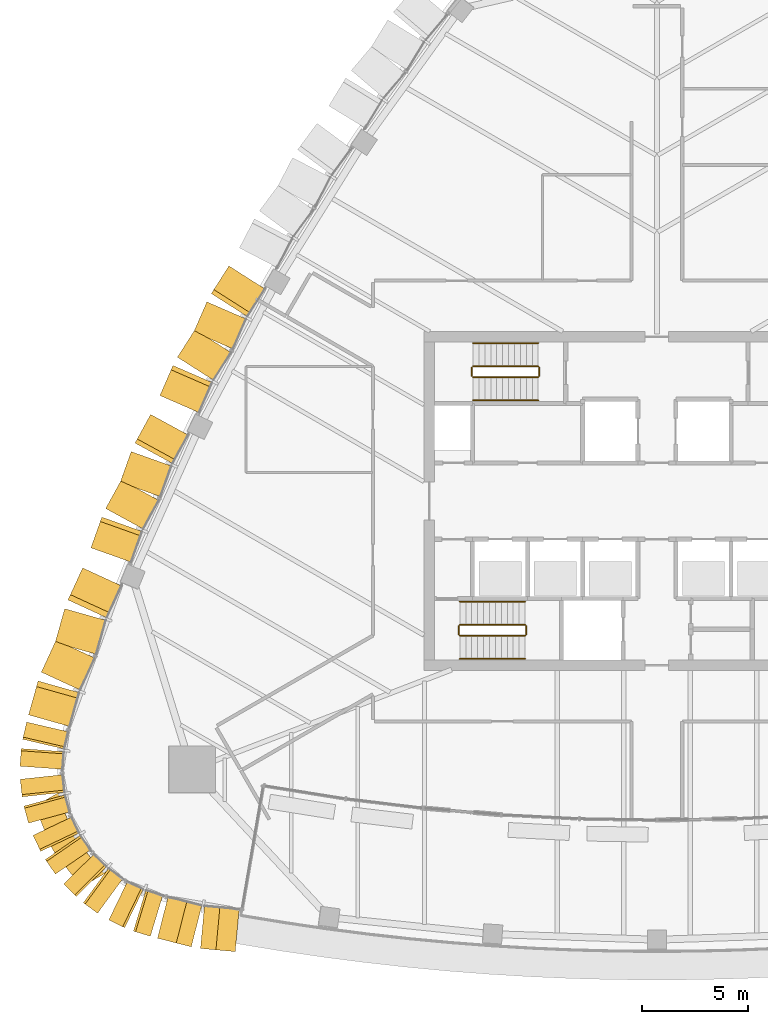
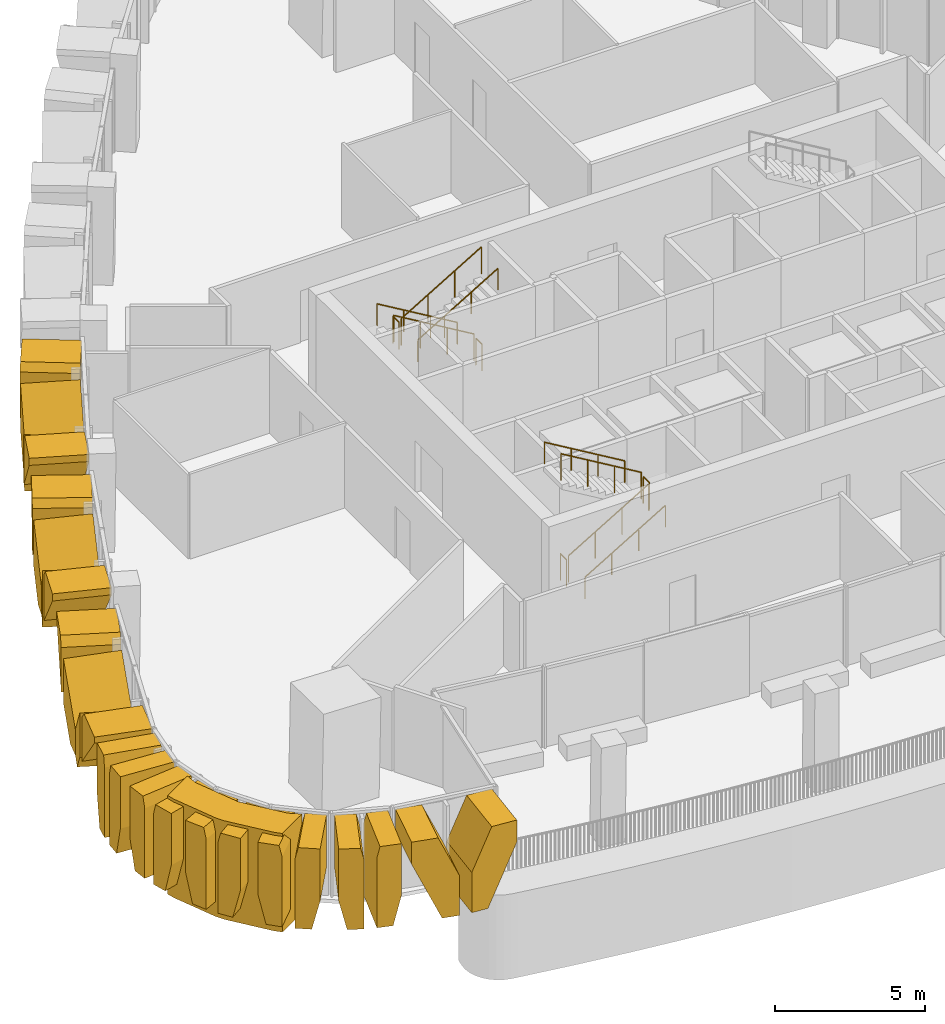
# One storey, part 17 of 22: 25 coverings, 12 railings.
"""IFC4 building model written with IfcOpenShell, lengths in metres."""

import ifcopenshell
import ifcopenshell.guid

model = None  # the IFC model being written
_history = None  # IfcOwnerHistory: only IFC2X3 demands one
_inside = {}  # id of a spatial element -> (the spatial element, [elements in it])
_under = {}  # id of a project, library or spatial element -> (it, [spatial elements below it])
_declared = {}  # id of a project -> (the project, [libraries it declares])
_typed = {}  # id of a type object -> (the type object, [elements of that type])
_made_of = {}  # id of a material, layer set ... -> (it, [elements and type objects made of it])


def new_model(schema):
    """Start an empty IFC model of exactly this schema.

    Asked for "IFC4X3", IfcOpenShell would pick the latest addendum, in which some entities
    have other attributes; the version numbers below select the first issue.
    IFC2X3 requires an IfcOwnerHistory on every rooted entity: one is made here for all.
    """
    global model, _history
    if schema == "IFC4X3":
        model = ifcopenshell.file(schema_version=(4, 3, 0, 0))
    else:
        model = ifcopenshell.file(schema=schema)
    _inside.clear()
    _under.clear()
    _declared.clear()
    _typed.clear()
    _made_of.clear()
    _history = None
    if model.schema == "IFC2X3":
        org = make("IfcOrganization", Name="unknown")
        user = make(
            "IfcPersonAndOrganization",
            ThePerson=make("IfcPerson", FamilyName="unknown"),
            TheOrganization=org,
        )
        app = make(
            "IfcApplication",
            ApplicationDeveloper=org,
            Version="unknown",
            ApplicationFullName="unknown",
            ApplicationIdentifier="unknown",
        )
        _history = make(
            "IfcOwnerHistory",
            OwningUser=user,
            OwningApplication=app,
            ChangeAction="ADDED",
            CreationDate=0,
        )
    return model


def make(cls, **values):
    """One entity of the class cls with the attributes given. An attribute that is None is left unset."""
    return model.create_entity(
        cls, **{name: value for name, value in values.items() if value is not None}
    )


def rooted(cls, **values):
    """An entity with a GlobalId (a new one), such as an element, a storey or a relation."""
    return make(cls, GlobalId=ifcopenshell.guid.new(), OwnerHistory=_history, **values)


def si_unit(unit_type, name, prefix=None):
    """IfcSIUnit, for example si_unit("LENGTHUNIT", "METRE", prefix="MILLI")."""
    return make("IfcSIUnit", UnitType=unit_type, Prefix=prefix, Name=name)


def assignment(units):
    """IfcUnitAssignment: the units of a project."""
    return None if units is None else make("IfcUnitAssignment", Units=units)


def point(xyz):
    """IfcCartesianPoint."""
    return None if xyz is None else make("IfcCartesianPoint", Coordinates=xyz)


def direction(xyz):
    """IfcDirection."""
    return None if xyz is None else make("IfcDirection", DirectionRatios=xyz)


def frame(location, z_axis=None, x_axis=None):
    """IfcAxis2Placement3D, a coordinate frame: its origin and axes. An axis left out is left unset."""
    return make(
        "IfcAxis2Placement3D",
        Location=point(location),
        Axis=direction(z_axis),
        RefDirection=direction(x_axis),
    )


def frame_2d(location, x_axis=None):
    """IfcAxis2Placement2D, a coordinate frame in the plane: its origin and x axis."""
    return make(
        "IfcAxis2Placement2D", Location=point(location), RefDirection=direction(x_axis)
    )


def origin():
    """The frame at (0, 0, 0) with its axes left unset."""
    return frame((0.0, 0.0, 0.0))


def origin_2d():
    """The frame at (0, 0) in the plane with its x axis left unset."""
    return frame_2d((0.0, 0.0))


def place(relative_to, where):
    """IfcLocalPlacement: puts the frame where relative to a parent placement (None: the world)."""
    return make(
        "IfcLocalPlacement", PlacementRelTo=relative_to, RelativePlacement=where
    )


def context(
    kind, dimensions, precision=None, world=None, true_north=None, identifier=None
):
    """IfcGeometricRepresentationContext, for example the 3D "Model" context."""
    return make(
        "IfcGeometricRepresentationContext",
        ContextIdentifier=identifier,
        ContextType=kind,
        CoordinateSpaceDimension=dimensions,
        Precision=precision,
        WorldCoordinateSystem=world,
        TrueNorth=true_north,
    )


def subcontext(parent, identifier, kind, view, scale=None):
    """IfcGeometricRepresentationSubContext, for example "Body" below "Model"."""
    return make(
        "IfcGeometricRepresentationSubContext",
        ContextIdentifier=identifier,
        ContextType=kind,
        ParentContext=parent,
        TargetScale=scale,
        TargetView=view,
    )


def project(units=None, contexts=None):
    """IfcProject with its units and contexts."""
    return rooted(
        "IfcProject",
        Name="project",
        RepresentationContexts=contexts,
        UnitsInContext=assignment(units),
    )


def spatial(cls, under=None, at=None, **own):
    """A site, building, storey or space (cls), placed at a placement, below another one or the project."""
    s = rooted(cls, ObjectPlacement=at, **own)
    if under is not None:
        _under.setdefault(under.id(), (under, []))[1].append(s)
    return s


def polyline(points):
    """IfcPolyline through the points."""
    return make("IfcPolyline", Points=[point(p) for p in points])


def profile(cls, at=None, kind="AREA", **sizes):
    """A parametric profile (cls). Its sizes go by their IFC names, for example OverallWidth=200.0."""
    return make(cls, ProfileType=kind, Position=at, **sizes)


def circle(**sizes):
    """IfcCircleProfileDef."""
    return profile("IfcCircleProfileDef", **sizes)


def outline(outer, holes=None, kind="AREA"):
    """IfcArbitraryClosedProfileDef: a profile drawn as a closed curve; with holes, ...WithVoids."""
    if holes is None:
        return make("IfcArbitraryClosedProfileDef", ProfileType=kind, OuterCurve=outer)
    return make(
        "IfcArbitraryProfileDefWithVoids",
        ProfileType=kind,
        OuterCurve=outer,
        InnerCurves=holes,
    )


def extrude(swept, where, along, depth):
    """IfcExtrudedAreaSolid: the profile swept, set in the frame where, extruded along a direction by depth."""
    return make(
        "IfcExtrudedAreaSolid",
        SweptArea=swept,
        Position=where,
        ExtrudedDirection=direction(along),
        Depth=depth,
    )


def shape(context_of_items, identifier, shape_type, items):
    """IfcShapeRepresentation: the items that make up one representation, for example the "Body"."""
    return make(
        "IfcShapeRepresentation",
        ContextOfItems=context_of_items,
        RepresentationIdentifier=identifier,
        RepresentationType=shape_type,
        Items=items,
    )


def material(Name=None, Category=None):
    """IfcMaterial."""
    return make("IfcMaterial", Name=Name, Category=Category)


def layer(
    of_material, thickness, ventilated=None, Name=None, Category=None, Priority=None
):
    """IfcMaterialLayer: one layer of a wall or slab, of a material (None: an air gap)."""
    return make(
        "IfcMaterialLayer",
        Material=of_material,
        LayerThickness=thickness,
        IsVentilated=ventilated,
        Name=Name,
        Category=Category,
        Priority=Priority,
    )


def layer_set(layers, Name=None):
    """IfcMaterialLayerSet."""
    return make("IfcMaterialLayerSet", MaterialLayers=layers, LayerSetName=Name)


def made_of(thing, what):
    """Note that an element or type object is made of a material, layer set ...; save() writes the relation."""
    if what is not None:
        _made_of.setdefault(what.id(), (what, []))[1].append(thing)
    return thing


def type_object(cls, material=None, **own):
    """A type object (cls), such as IfcWallType, which elements share."""
    return made_of(rooted(cls, **own), material)


def element(
    cls,
    number,
    at=None,
    inside=None,
    cuts=None,
    type_object=None,
    material=None,
    context=None,
    identifier="Body",
    shape_type=None,
    held_by="IfcProductDefinitionShape",
    body=None,
    shapes=None,
    **own,
):
    """One element of the class cls, such as IfcWall. Its Tag is "e" and its number.

    at: its placement. inside: the storey or other place that contains it. cuts: it is an
    opening in that element (IfcRelVoidsElement). A single representation is given by context,
    identifier, shape_type and body (its items); several are given by shapes. held_by: the class
    of the entity that holds the representations. save() writes the other relations.
    """
    e = rooted(cls, Tag="e%d" % number, ObjectPlacement=at, **own)
    if body is not None:
        shapes = [shape(context, identifier, shape_type, body)]
    if shapes is not None:
        e.Representation = make(held_by, Representations=shapes)
    if inside is not None:
        _inside.setdefault(inside.id(), (inside, []))[1].append(e)
    if cuts is not None:
        rooted(
            "IfcRelVoidsElement", RelatingBuildingElement=cuts, RelatedOpeningElement=e
        )
    if type_object is not None:
        _typed.setdefault(type_object.id(), (type_object, []))[1].append(e)
    return made_of(e, material)


def aggregate(whole, parts):
    """IfcRelAggregates: a whole, such as a stair, and the parts it consists of."""
    return rooted("IfcRelAggregates", RelatingObject=whole, RelatedObjects=parts)


def save(model, path):
    """Write the relations noted so far, then the file.

    IfcRelAggregates (storeys below a building ...), IfcRelContainedInSpatialStructure (elements
    in a storey), IfcRelDefinesByType, IfcRelAssociatesMaterial and IfcRelDeclares: one each for
    every whole, place, type object, material and project.
    """
    for whole, parts in _under.values():
        aggregate(whole, parts)
    for where, things in _inside.values():
        rooted(
            "IfcRelContainedInSpatialStructure",
            RelatedElements=things,
            RelatingStructure=where,
        )
    for kind, things in _typed.values():
        rooted("IfcRelDefinesByType", RelatedObjects=things, RelatingType=kind)
    for what, things in _made_of.values():
        rooted("IfcRelAssociatesMaterial", RelatedObjects=things, RelatingMaterial=what)
    for by, libraries in _declared.values():
        rooted("IfcRelDeclares", RelatingContext=by, RelatedDefinitions=libraries)
    model.write(path)


model = new_model("IFC4")

# Units and contexts
model_context = context("Model", 3, precision=1e-05, world=origin(), true_north=direction((0.0, 1.0)))
body_context = subcontext(model_context, "Body", "Model", "MODEL_VIEW")
ifc_project = project(units=[si_unit("LENGTHUNIT", "METRE"), si_unit("AREAUNIT", "SQUARE_METRE"), si_unit("VOLUMEUNIT", "CUBIC_METRE"), si_unit("PLANEANGLEUNIT", "RADIAN"), si_unit("MASSUNIT", "GRAM", prefix="KILO")], contexts=[model_context])

# Site, building, storey
site_placement = place(None, origin())
site = spatial("IfcSite", under=ifc_project, at=site_placement, CompositionType="ELEMENT")
building_placement = place(site_placement, origin())
building = spatial("IfcBuilding", under=site, at=building_placement, Name="Sierra Prisma Convention Tower", CompositionType="ELEMENT")
storey_placement = place(building_placement, frame((0.0, 0.0, 243.0)))
storey = spatial("IfcBuildingStorey", under=building, at=storey_placement, Name="L54", CompositionType="ELEMENT", Elevation=243.0)

# Coverings
ifc_material_1 = material(Name="Aluminium composite bronze anodised", Category="aluminium")
ifc_layer_1 = layer(ifc_material_1, 1.199951171875)
ifc_layer_set_1 = layer_set([ifc_layer_1], Name="Bronze corner pier")
covering_type_1 = type_object("IfcCoveringType", Name="Bronze corner pier", PredefinedType="CLADDING", material=ifc_layer_set_1)
covering_1_placement = place(storey_placement, frame((0.0, 0.0, -0.60009765625)))
element("IfcCovering", 1, at=covering_1_placement, inside=storey, type_object=covering_type_1, Name="Corner pier SW L54.1", PredefinedType="CLADDING", context=body_context, shape_type="SweptSolid", body=[
    extrude(outline(polyline([(-28.42041015625, -16.6025390625), (-28.58837890625, -16.3115234375), (-29.255126953125, -14.657958984375), (-29.32177734375, -14.388671875), (-28.19091796875, -13.735595703125), (-28.14208984375, -14.209228515625), (-27.4755859375, -15.863037109375), (-26.376708984375, -17.26708984375), (-25.99072265625, -17.546142578125), (-27.121826171875, -18.19921875), (-27.32177734375, -18.006591796875), (-28.42041015625, -16.6025390625)])), origin(), (0.0, 0.0, 1.0), 4.0),
])
ifc_material_2 = material(Name="Aluminium 6063-T6 bronze anodised", Category="aluminium")
ifc_layer_2 = layer(ifc_material_2, 2.0)
ifc_layer_set_2 = layer_set([ifc_layer_2], Name="Bronze crystal chevron frame")
covering_type_2 = type_object("IfcCoveringType", Name="Bronze crystal chevron frame", PredefinedType="CLADDING", material=ifc_layer_set_2)
covering_2_placement = place(storey_placement, frame((-20.197509765625, 11.09423828125, 3.280029296875), z_axis=(-0.843028179962, 0.537869396082, -2.341204e-05), x_axis=(1.973701e-05, -1.259262e-05, -0.999999999726)))
element("IfcCovering", 2, at=covering_2_placement, inside=storey, type_object=covering_type_2, Name="CW-2 chevron frame NW4.1.1", PredefinedType="CLADDING", context=body_context, shape_type="SweptSolid", body=[
    extrude(outline(polyline([(0.0, 0.0), (0.2875976561711805, 0.0), (2.1379394526852034, 1.5464578894494956), (0.26660156257306533, 1.5464578894494956), (-1.1833636070320756e-09, 1.32350242746283), (0.0, 0.0)])), origin(), (0.0, 0.0, -1.0), 2.0),
])
covering_3_placement = place(storey_placement, frame((-21.23779296875, 9.399169921875, 2.85791015625), z_axis=(-0.916749133579, 0.399463422079, 2.2439832e-05), x_axis=(-2.0571697e-05, 8.963892e-06, -0.999999999748)))
element("IfcCovering", 3, at=covering_3_placement, inside=storey, type_object=covering_type_2, Name="CW-2 chevron frame NW4.1.2", PredefinedType="CLADDING", context=body_context, shape_type="SweptSolid", body=[
    extrude(outline(polyline([(0.0, 0.0), (1.8713378901538475, 0.0), (2.8579101574769017, 0.8242711732570415), (2.8579101560272395, 1.5462128732941023), (1.8503417969059184, 1.5462128732941023), (0.0, 0.0)])), origin(), (0.0, 0.0, -1.0), 2.0),
])
covering_4_placement = place(storey_placement, frame((-21.797119140625, 8.09130859375, 0.0), z_axis=(-0.842959573089, 0.537976912266, -2.354265e-06), x_axis=(-0.537976912268, -0.842959573092, -2.2e-11)))
element("IfcCovering", 4, at=covering_4_placement, inside=storey, type_object=covering_type_2, Name="CW-2 chevron frame NW4.2.1", PredefinedType="CLADDING", context=body_context, shape_type="SweptSolid", body=[
    extrude(outline(polyline([(0.0, 0.0), (0.7220262409998718, -2.117582368135751e-22), (1.5465892180733887, 0.986572265661913), (1.5465892180320329, 2.857910156281727), (-2.2266903354894646e-11, 1.0075683593722078), (0.0, 0.0)])), origin(), (0.0, 0.0, -1.0), 2.0),
])
covering_5_placement = place(storey_placement, frame((-23.455322265625, 4.978515625, 3.280029296875), z_axis=(-0.916714836052, 0.399542120321, -5.8752146e-05), x_axis=(0.39954212101, 0.916714837634, 5.629e-09)))
element("IfcCovering", 5, at=covering_5_placement, inside=storey, type_object=covering_type_2, Name="CW-2 chevron frame NW4.2.2", PredefinedType="CLADDING", context=body_context, shape_type="SweptSolid", body=[
    extrude(outline(polyline([(0.0, 0.0), (1.3238275615204171, 0.0), (1.5465342197928016, 0.2666015716660614), (1.5465342092584469, 2.1379394590613052), (-1.6189784569932416e-09, 0.28759765575363305), (0.0, 0.0)])), origin(), (0.0, 0.0, -1.0), 2.0),
])
covering_6_placement = place(storey_placement, frame((-23.892578125, 4.086181640625, 3.280029296875), z_axis=(-0.877687399931, 0.479233583408, -2.3150036e-05), x_axis=(2.0318495e-05, -1.1094275e-05, -0.999999999732)))
element("IfcCovering", 6, at=covering_6_placement, inside=storey, type_object=covering_type_2, Name="CW-2 chevron frame NW5.1.1", PredefinedType="CLADDING", context=body_context, shape_type="SweptSolid", body=[
    extrude(outline(polyline([(0.0, 0.0), (0.29052734367214966, 0.0), (2.140136718317833, 1.5385191485840588), (0.26367187507065404, 1.5385191485840588), (-1.1613434509189885e-09, 1.3193570118038396), (0.0, 0.0)])), origin(), (0.0, 0.0, -1.0), 2.0),
])
covering_7_placement = place(storey_placement, frame((-24.81103515625, 2.3310546875, 2.860107421875), z_axis=(-0.941883820663, 0.335938783952, 4.2533033e-05), x_axis=(-4.0061175e-05, 1.4288495e-05, -0.999999999095)))
element("IfcCovering", 7, at=covering_7_placement, inside=storey, type_object=covering_type_2, Name="CW-2 chevron frame NW5.1.2", PredefinedType="CLADDING", context=body_context, shape_type="SweptSolid", body=[
    extrude(outline(polyline([(0.0, 0.0), (1.8764648420526824, -3.1788550940412854e-21), (2.8601074262901016, 0.817849249988669), (2.860107421067416, 1.5383942595127718), (1.849609375106441, 1.5383942595127718), (0.0, 0.0)])), origin(), (0.0, 0.0, -1.0), 2.0),
])
covering_8_placement = place(storey_placement, frame((-25.622314453125, 0.36328125, 0.0), z_axis=(-0.877692726768, 0.479223827927, -1.1179592e-05), x_axis=(-0.306444320515, -0.561231183238, 0.768837718499)))
element("IfcCovering", 8, at=covering_8_placement, inside=storey, type_object=covering_type_2, Name="CW-2 chevron frame NW5.2.1", PredefinedType="CLADDING", context=body_context, shape_type="SweptSolid", body=[
    extrude(outline(polyline([(0.0, 0.0), (1.279389076288799, 0.0), (2.7220860256002495, 1.1998940877581923), (0.316239815203195, 1.2000441189979196), (-0.46066919770340065, 0.5538872585723199), (0.0, 0.0)])), origin(), (0.0, 0.0, -1.0), 2.0),
])
covering_9_placement = place(storey_placement, frame((-26.71240234375, -2.20849609375, 3.280029296875), z_axis=(-0.941877951185, 0.335955237869, -5.6746209e-05), x_axis=(0.33595523841, 0.941877952701, 5.289e-09)))
element("IfcCovering", 9, at=covering_9_placement, inside=storey, type_object=covering_type_2, Name="CW-2 chevron frame NW5.2.2", PredefinedType="CLADDING", context=body_context, shape_type="SweptSolid", body=[
    extrude(outline(polyline([(0.0, 0.0), (1.3193158049228526, 0.0), (1.5383942586143131, 0.26367188356125987), (1.5383942486894913, 2.1401367242900275), (-1.5366299832433477e-09, 0.2905273432822318), (0.0, 0.0)])), origin(), (0.0, 0.0, -1.0), 2.0),
])
covering_10_placement = place(storey_placement, frame((-27.10107421875, -3.15771484375, 3.280029296875), z_axis=(-0.908388092158, 0.418128056738, 4.6831703e-05), x_axis=(-4.2541362e-05, 1.9581649e-05, -0.999999998903)))
element("IfcCovering", 10, at=covering_10_placement, inside=storey, type_object=covering_type_2, Name="CW-2 chevron frame NW6.1.1", PredefinedType="CLADDING", context=body_context, shape_type="SweptSolid", body=[
    extrude(outline(polyline([(0.0, 0.0), (0.2475585934785262, 0.0), (2.107666013986787, 1.662302474365171), (0.3068847659615312, 1.662302474365171), (-4.4924362269936114e-09, 1.3881139875731632), (0.0, 0.0)])), origin(), (0.0, 0.0, -1.0), 2.0),
])
covering_11_placement = place(storey_placement, frame((-27.949462890625, -5.083984375, 2.82763671875), z_axis=(-0.962625323764, 0.270836640855, 4.220841e-06), x_axis=(-4.063089e-06, 1.143159e-06, -0.999999999991)))
element("IfcCovering", 11, at=covering_11_placement, inside=storey, type_object=covering_type_2, Name="CW-2 chevron frame NW6.1.2", PredefinedType="CLADDING", context=body_context, shape_type="SweptSolid", body=[
    extrude(outline(polyline([(0.0, 0.0), (1.800781249983959, 0.0), (2.8276367187924247, 0.9176001273934471), (2.827636718743106, 1.6622239105833274), (1.8601074218767246, 1.6622239105833274), (0.0, 0.0)])), origin(), (0.0, 0.0, -1.0), 2.0),
])
covering_12_placement = place(storey_placement, frame((-28.356689453125, -6.5673828125, 0.0), z_axis=(-0.908327965376, 0.418258660769, 2.798732e-06), x_axis=(-0.418258660771, -0.908327965379, -2.9e-11)))
element("IfcCovering", 12, at=covering_12_placement, inside=storey, type_object=covering_type_2, Name="CW-2 chevron frame NW6.2.1", PredefinedType="CLADDING", context=body_context, shape_type="SweptSolid", body=[
    extrude(outline(polyline([(0.0, 0.0), (0.7447936628930081, 0.0), (1.6624045731504289, 1.0268554688024207), (1.662404573098001, 2.8276367187953677), (-2.8168630256803422e-11, 0.9675292968712106), (0.0, 0.0)])), origin(), (0.0, 0.0, -1.0), 2.0),
])
covering_13_placement = place(storey_placement, frame((-29.655517578125, -10.09375, 3.280029296875), z_axis=(-0.962589836091, 0.270962732673, -7.0403855e-05), x_axis=(0.270962733345, 0.962589838477, 7.314e-09)))
element("IfcCovering", 13, at=covering_13_placement, inside=storey, type_object=covering_type_2, Name="CW-2 chevron frame NW6.2.2", PredefinedType="CLADDING", context=body_context, shape_type="SweptSolid", body=[
    extrude(outline(polyline([(0.0, 0.0), (1.3880705066731356, 0.0), (1.6622900476567823, 0.3068847785443531), (1.6622900344850067, 2.1076660240813845), (-1.8107619960396597e-09, 0.24755859313646286), (0.0, 0.0)])), origin(), (0.0, 0.0, -1.0), 2.0),
])
covering_14_placement = place(storey_placement, frame((-29.74267578125, -10.43310546875, 3.280029296875), z_axis=(-0.973937242522, 0.226817652466, -1.2553179e-05), x_axis=(1.2226008e-05, -2.847283e-06, -0.999999999921)))
element("IfcCovering", 14, at=covering_14_placement, inside=storey, type_object=covering_type_2, Name="CW-2 chevron frame SW1.1.1", PredefinedType="CLADDING", context=body_context, shape_type="SweptSolid", body=[
    extrude(outline(polyline([(0.0, 0.0), (2.1027832029593196, 0.0), (3.2800292973064944, 0.28224598635680115), (3.2800292967630096, 0.8342399472766335), (0.4362792969870721, 0.8342399472766335), (-1.9388807726578857e-10, 0.7297152542945056), (0.0, 0.0)])), origin(), (0.0, 0.0, -1.0), 2.0),
])
covering_15_placement = place(storey_placement, frame((-29.998291015625, -11.68408203125, 0.0), z_axis=(-0.997428137834, 0.071673632753, -1.4983846e-05), x_axis=(-0.071673632761, -0.997428137946, -2.7e-10)))
element("IfcCovering", 15, at=covering_15_placement, inside=storey, type_object=covering_type_2, Name="CW-2 chevron frame SW1.1.2", PredefinedType="CLADDING", context=body_context, shape_type="SweptSolid", body=[
    extrude(outline(polyline([(0.0, 0.0), (0.5519559520449177, -1.0587911840678754e-22), (0.834422011959201, 1.1772460939689673), (0.8344220113922154, 3.2800292968579137), (0.10452238620509403, 3.280029297689605), (-7.667768256447883e-10, 2.8437499996807665), (0.0, 0.0)])), origin(), (0.0, 0.0, -1.0), 2.0),
])
covering_16_placement = place(storey_placement, frame((-30.046875, -13.1328125, 3.280029296875), z_axis=(-0.994157760211, -0.107936771548, -3.4059598e-05), x_axis=(3.3860613e-05, 3.676283e-06, -0.99999999942)))
element("IfcCovering", 16, at=covering_16_placement, inside=storey, type_object=covering_type_2, Name="CW-2 chevron frame SW2.1.1", PredefinedType="CLADDING", context=body_context, shape_type="SweptSolid", body=[
    extrude(outline(polyline([(0.0, 0.0), (2.1027832019053267, 8.905633269899034e-22), (3.280029296156867, 0.2824154104875741), (3.2800292955966714, 0.834466977509934), (0.43627929724612613, 0.834466977509934), (-5.565337040652859e-09, 0.7298321546678369), (0.0, 0.0)])), origin(), (0.0, 0.0, -1.0), 2.0),
])
covering_17_placement = place(storey_placement, frame((-29.87451171875, -14.398193359375, 0.0), z_axis=(-0.965095589651, -0.261897886264, 2.515162e-06), x_axis=(0.261897886265, -0.965095589654, -1.39e-10)))
element("IfcCovering", 17, at=covering_17_placement, inside=storey, type_object=covering_type_2, Name="CW-2 chevron frame SW2.1.2", PredefinedType="CLADDING", context=body_context, shape_type="SweptSolid", body=[
    extrude(outline(polyline([(0.0, 0.0), (0.5519731751206722, -5.293955920339377e-23), (0.8342978179243727, 1.1772460938750142), (0.8342978176329011, 3.280029296993363), (0.1044719335758288, 3.280029296834206), (-3.941787559283746e-10, 2.843749999991005), (0.0, 0.0)])), origin(), (0.0, 0.0, -1.0), 2.0),
])
covering_18_placement = place(storey_placement, frame((-29.44140625, -15.781494140625, 3.280029296875), z_axis=(-0.902638653313, -0.430399188428, 1.2059635e-05), x_axis=(-1.0885492e-05, -5.190457e-06, -0.999999999927)))
element("IfcCovering", 18, at=covering_18_placement, inside=storey, type_object=covering_type_2, Name="CW-2 chevron frame SW3.1.1", PredefinedType="CLADDING", context=body_context, shape_type="SweptSolid", body=[
    extrude(outline(polyline([(0.0, 0.0), (2.102783202972091, 0.0), (3.28002929611448, 0.2823958862256461), (3.2800292966365947, 0.8344134404046312), (0.4362792968433847, 0.8344134404046312), (-1.4101070285721436e-09, 0.7297956158113391), (0.0, 0.0)])), origin(), (0.0, 0.0, -1.0), 2.0),
])
covering_19_placement = place(storey_placement, frame((-28.5478515625, -17.37353515625, 0.0), z_axis=(-0.824040036259, -0.566531568957, 4.117876e-06), x_axis=(0.132120118313, -0.192166277596, 0.972428093019)))
element("IfcCovering", 19, at=covering_19_placement, inside=storey, type_object=covering_type_2, Name="CW-2 chevron frame SW3.1.2", PredefinedType="CLADDING", context=body_context, shape_type="SweptSolid", body=[
    extrude(outline(polyline([(0.0, 0.0), (1.2106253429150031, 0.0), (3.2554308031613988, 0.49037519208885544), (3.0852684735658857, 1.1999316029024465), (2.6366188429590145, 1.1999324931120654), (-0.12872354656264084, 0.5367616771999572), (0.0, 0.0)])), origin(), (0.0, 0.0, -1.0), 2.0),
])
covering_20_placement = place(storey_placement, frame((-27.994384765625, -18.0810546875, 3.280029296875), z_axis=(-0.70958410199, -0.704620750611, 3.217e-06), x_axis=(-2.282732e-06, -2.266765e-06, -0.999999999995)))
element("IfcCovering", 20, at=covering_20_placement, inside=storey, type_object=covering_type_2, Name="CW-2 chevron frame SW4.1.1", PredefinedType="CLADDING", context=body_context, shape_type="SweptSolid", body=[
    extrude(outline(polyline([(0.0, 0.0), (2.102783203114119, 0.0), (3.280029297001436, 0.28243028796102776), (3.280029296879078, 0.8343428258829539), (0.4362792968937933, 0.8343428258829539), (9.149384838794746e-11, 0.7297263625792596), (0.0, 0.0)])), origin(), (0.0, 0.0, -1.0), 2.0),
])
covering_21_placement = place(storey_placement, frame((-26.624755859375, -19.288330078125, 0.0), z_axis=(-0.590527421114, -0.807017573658, 2.6810814e-05), x_axis=(0.188106331413, -0.13761270877, 0.972460153666)))
element("IfcCovering", 21, at=covering_21_placement, inside=storey, type_object=covering_type_2, Name="CW-2 chevron frame SW4.1.2", PredefinedType="CLADDING", context=body_context, shape_type="SweptSolid", body=[
    extrude(outline(polyline([(0.0, 0.0), (1.210585433487549, -5.551115123125783e-17), (3.2554583103240162, 0.4900939846037529), (3.0853902189307756, 1.199687733347376), (2.6367361416387496, 1.199768891315921), (-0.12869742034791806, 0.5369783731846642), (0.0, 0.0)])), origin(), (0.0, 0.0, -1.0), 2.0),
])
covering_22_placement = place(storey_placement, frame((-25.868408203125, -19.77294921875, 3.280029296875), z_axis=(-0.436634303946, -0.899639085661, 1.2963048e-05), x_axis=(-5.660111e-06, -1.1662064e-05, -0.999999999916)))
element("IfcCovering", 22, at=covering_22_placement, inside=storey, type_object=covering_type_2, Name="CW-2 chevron frame SW5.1.1", PredefinedType="CLADDING", context=body_context, shape_type="SweptSolid", body=[
    extrude(outline(polyline([(0.0, 0.0), (2.1027832029483235, -1.781126653979807e-21), (3.2800292972895355, 0.2822570734076294), (3.2800292967502633, 0.8342160476312133), (0.4362792969891957, 0.8342160476312133), (-2.5519899589149833e-10, 0.7297210127548767), (0.0, 0.0)])), origin(), (0.0, 0.0, -1.0), 2.0),
])
covering_23_placement = place(storey_placement, frame((-24.705078125, -20.299072265625, 0.0), z_axis=(-0.290504200822, -0.956873715961, 3.1740108e-05), x_axis=(0.956873716443, -0.290504200968, -2.1e-10)))
element("IfcCovering", 23, at=covering_23_placement, inside=storey, type_object=covering_type_2, Name="CW-2 chevron frame SW5.1.2", PredefinedType="CLADDING", context=body_context, shape_type="SweptSolid", body=[
    extrude(outline(polyline([(0.0, 0.0), (0.5521328082078123, 8.470329472543003e-22), (0.8345714348232451, 1.1772460938251594), (0.8345714343823112, 3.280029295890951), (0.10480898817407716, 3.280029301016927), (-5.963076583018827e-10, 2.843749998567554), (0.0, 0.0)])), origin(), (0.0, 0.0, -1.0), 2.0),
])
covering_24_placement = place(storey_placement, frame((-23.569091796875, -20.635498046875, 3.280029296875), z_axis=(-0.246693470617, -0.969093561482, 2.5476622e-05), x_axis=(-6.284916e-06, -2.4689231e-05, -0.999999999675)))
element("IfcCovering", 24, at=covering_24_placement, inside=storey, type_object=covering_type_2, Name="CW-2 chevron frame S1.1.1", PredefinedType="CLADDING", context=body_context, shape_type="SweptSolid", body=[
    extrude(outline(polyline([(0.0, 0.0), (0.8986816403333516, -7.612129587019237e-22), (3.280029298376539, 1.0535834525696677), (3.2800292971697216, 1.6445916307876238), (1.650146485198666, 1.6445916307876238), (-3.4114496347285503e-10, 0.9144908193958501), (0.0, 0.0)])), origin(), (0.0, 0.0, -1.0), 2.0),
])
covering_25_placement = place(storey_placement, frame((-21.538330078125, -21.11669921875, 0.0), z_axis=(-0.092048352717, -0.995754538155, 2.2506004e-05), x_axis=(0.995754538407, -0.09204835274, -1.159e-09)))
element("IfcCovering", 25, at=covering_25_placement, inside=storey, type_object=covering_type_2, Name="CW-2 chevron frame S1.1.2", PredefinedType="CLADDING", context=body_context, shape_type="SweptSolid", body=[
    extrude(outline(polyline([(0.0, 0.0), (0.5911354918847539, -2.117582368135751e-22), (1.644918741593288, 2.3813476585674858), (1.6449187405517702, 3.2800292989648856), (0.730144115431828, 3.2800292984701787), (-1.888935617689218e-09, 1.6298828120872157), (0.0, 0.0)])), origin(), (0.0, 0.0, -1.0), 2.0),
])

# Railings
ifc_material_3 = material(Name="Stainless steel", Category="steel")
railing_type_1 = type_object("IfcRailingType", Name="Exit stair handrail", PredefinedType="HANDRAIL", material=ifc_material_3)
railing_1_placement = place(storey_placement, frame((-9.300048828125, -7.449951171875, 0.166748046875)))
element("IfcRailing", 26, at=railing_1_placement, inside=storey, type_object=railing_type_1, Name="L54 S1 stair handrail 1", PredefinedType="HANDRAIL", context=body_context, shape_type="SweptSolid", body=[
    extrude(circle(Radius=0.02392578125, at=origin_2d()), frame((0.0, 0.0, 0.8759765625), z_axis=(0.859308565015, 0.0, 0.511457515432), x_axis=(0.0, 1.0, 0.0)), (0.0, 0.0, 1.0), 3.58447265625),
    extrude(circle(Radius=0.02099609375, at=origin_2d()), origin(), (0.0, 0.0, 1.0), 0.851806640625),
    extrude(circle(Radius=0.02099609375, at=origin_2d()), frame((1.026611328125, 0.0, 0.611083984375)), (0.0, 0.0, 1.0), 0.851806640625),
    extrude(circle(Radius=0.02099609375, at=origin_2d()), frame((2.053466796875, 0.0, 1.22216796875)), (0.0, 0.0, 1.0), 0.851806640625),
    extrude(circle(Radius=0.02099609375, at=origin_2d()), frame((3.080078125, 0.0, 1.833251953125)), (0.0, 0.0, 1.0), 0.851806640625),
])
railing_2_placement = place(storey_placement, frame((-6.219970703125, -4.75, 2.166748046875)))
element("IfcRailing", 27, at=railing_2_placement, inside=storey, type_object=railing_type_1, Name="L54 S1 stair handrail 2", PredefinedType="HANDRAIL", context=body_context, shape_type="SweptSolid", body=[
    extrude(circle(Radius=0.02392578125, at=origin_2d()), frame((0.0, 0.0, 0.8759765625), z_axis=(-0.859308565015, 0.0, 0.511457515432), x_axis=(0.0, -1.0, 0.0)), (0.0, 0.0, 1.0), 3.58447265625),
    extrude(circle(Radius=0.02099609375, at=origin_2d()), origin(), (0.0, 0.0, 1.0), 0.851806640625),
    extrude(circle(Radius=0.02099609375, at=origin_2d()), frame((-1.026611328125, 0.0, 0.611083984375)), (0.0, 0.0, 1.0), 0.851806640625),
    extrude(circle(Radius=0.02099609375, at=origin_2d()), frame((-2.053466796875, 0.0, 1.22216796875)), (0.0, 0.0, 1.0), 0.851806640625),
    extrude(circle(Radius=0.02099609375, at=origin_2d()), frame((-3.080078125, 0.0, 1.833251953125)), (0.0, 0.0, 1.0), 0.851806640625),
])
railing_3_placement = place(storey_placement, frame((-5.60009765625, 7.449951171875, 0.166748046875)))
element("IfcRailing", 28, at=railing_3_placement, inside=storey, type_object=railing_type_1, Name="L54 S3 stair handrail 1", PredefinedType="HANDRAIL", context=body_context, shape_type="SweptSolid", body=[
    extrude(circle(Radius=0.02392578125, at=origin_2d()), frame((0.0, 0.0, 0.8759765625), z_axis=(-0.859290745958, 0.0, 0.51148745235), x_axis=(0.0, -1.0, 0.0)), (0.0, 0.0, 1.0), 3.584228515625),
    extrude(circle(Radius=0.02099609375, at=origin_2d()), origin(), (0.0, 0.0, 1.0), 0.851806640625),
    extrude(circle(Radius=0.02099609375, at=origin_2d()), frame((-1.026611328125, 0.0, 0.611083984375)), (0.0, 0.0, 1.0), 0.851806640625),
    extrude(circle(Radius=0.02099609375, at=origin_2d()), frame((-2.05322265625, 0.0, 1.22216796875)), (0.0, 0.0, 1.0), 0.851806640625),
    extrude(circle(Radius=0.02099609375, at=origin_2d()), frame((-3.079833984375, 0.0, 1.833251953125)), (0.0, 0.0, 1.0), 0.851806640625),
])
railing_4_placement = place(storey_placement, frame((-8.679931640625, 4.75, 2.166748046875)))
element("IfcRailing", 29, at=railing_4_placement, inside=storey, type_object=railing_type_1, Name="L54 S3 stair handrail 2", PredefinedType="HANDRAIL", context=body_context, shape_type="SweptSolid", body=[
    extrude(circle(Radius=0.02392578125, at=origin_2d()), frame((0.0, 0.0, 0.8759765625), z_axis=(0.859290745958, 0.0, 0.51148745235), x_axis=(0.0, 1.0, 0.0)), (0.0, 0.0, 1.0), 3.584228515625),
    extrude(circle(Radius=0.02099609375, at=origin_2d()), origin(), (0.0, 0.0, 1.0), 0.851806640625),
    extrude(circle(Radius=0.02099609375, at=origin_2d()), frame((1.026611328125, 0.0, 0.611083984375)), (0.0, 0.0, 1.0), 0.851806640625),
    extrude(circle(Radius=0.02099609375, at=origin_2d()), frame((2.05322265625, 0.0, 1.22216796875)), (0.0, 0.0, 1.0), 0.851806640625),
    extrude(circle(Radius=0.02099609375, at=origin_2d()), frame((3.079833984375, 0.0, 1.833251953125)), (0.0, 0.0, 1.0), 0.851806640625),
])
ifc_material_4 = material(Name="Stainless steel", Category="steel")
railing_type_2 = type_object("IfcRailingType", Name="Stair guard 1100", PredefinedType="GUARDRAIL", material=ifc_material_4)
railing_5_placement = place(storey_placement, frame((-9.300048828125, -6.35009765625, 0.166748046875)))
element("IfcRailing", 30, at=railing_5_placement, inside=storey, type_object=railing_type_2, Name="L54 S1 stair guard 1", PredefinedType="GUARDRAIL", context=body_context, shape_type="SweptSolid", body=[
    extrude(circle(Radius=0.02392578125, at=origin_2d()), frame((0.0, 0.0, 1.076171875), z_axis=(0.859308565015, 0.0, 0.511457515432), x_axis=(0.0, 1.0, 0.0)), (0.0, 0.0, 1.0), 3.58447265625),
    extrude(circle(Radius=0.02099609375, at=origin_2d()), origin(), (0.0, 0.0, 1.0), 1.052001953125),
    extrude(circle(Radius=0.02099609375, at=origin_2d()), frame((1.026611328125, 0.0, 0.611083984375)), (0.0, 0.0, 1.0), 1.052001953125),
    extrude(circle(Radius=0.02099609375, at=origin_2d()), frame((2.053466796875, 0.0, 1.22216796875)), (0.0, 0.0, 1.0), 1.052001953125),
    extrude(circle(Radius=0.02099609375, at=origin_2d()), frame((3.080078125, 0.0, 1.833251953125)), (0.0, 0.0, 1.0), 1.052001953125),
])
railing_6_placement = place(storey_placement, frame((-6.169921875, -6.300048828125, 2.0)))
element("IfcRailing", 31, at=railing_6_placement, inside=storey, type_object=railing_type_2, Name="L54 S1 stair guard 2", PredefinedType="GUARDRAIL", context=body_context, shape_type="SweptSolid", body=[
    extrude(circle(Radius=0.02392578125, at=origin_2d()), frame((0.0, 0.0, 1.076171875), z_axis=(0.0, 1.0, 0.0), x_axis=(-1.0, 0.0, 0.0)), (0.0, 0.0, 1.0), 0.400146484375),
    extrude(circle(Radius=0.02099609375, at=origin_2d()), origin(), (0.0, 0.0, 1.0), 1.052001953125),
    extrude(circle(Radius=0.02099609375, at=origin_2d()), frame((0.0, 0.400146484375, 0.0)), (0.0, 0.0, 1.0), 1.052001953125),
])
railing_7_placement = place(storey_placement, frame((-6.219970703125, -5.85009765625, 2.166748046875)))
element("IfcRailing", 32, at=railing_7_placement, inside=storey, type_object=railing_type_2, Name="L54 S1 stair guard 3", PredefinedType="GUARDRAIL", context=body_context, shape_type="SweptSolid", body=[
    extrude(circle(Radius=0.02392578125, at=origin_2d()), frame((0.0, 0.0, 1.076171875), z_axis=(-0.859308565015, 0.0, 0.511457515432), x_axis=(0.0, -1.0, 0.0)), (0.0, 0.0, 1.0), 3.58447265625),
    extrude(circle(Radius=0.02099609375, at=origin_2d()), origin(), (0.0, 0.0, 1.0), 1.052001953125),
    extrude(circle(Radius=0.02099609375, at=origin_2d()), frame((-1.026611328125, 0.0, 0.611083984375)), (0.0, 0.0, 1.0), 1.052001953125),
    extrude(circle(Radius=0.02099609375, at=origin_2d()), frame((-2.053466796875, 0.0, 1.22216796875)), (0.0, 0.0, 1.0), 1.052001953125),
    extrude(circle(Radius=0.02099609375, at=origin_2d()), frame((-3.080078125, 0.0, 1.833251953125)), (0.0, 0.0, 1.0), 1.052001953125),
])
railing_8_placement = place(storey_placement, frame((-9.35009765625, -6.300048828125, 0.0)))
element("IfcRailing", 33, at=railing_8_placement, inside=storey, type_object=railing_type_2, Name="L54 S1 stair guard 4", PredefinedType="GUARDRAIL", context=body_context, shape_type="SweptSolid", body=[
    extrude(circle(Radius=0.02392578125, at=origin_2d()), frame((0.0, 0.0, 1.076171875), z_axis=(0.0, 1.0, 0.0), x_axis=(-1.0, 0.0, 0.0)), (0.0, 0.0, 1.0), 0.400146484375),
    extrude(circle(Radius=0.02099609375, at=origin_2d()), origin(), (0.0, 0.0, 1.0), 1.052001953125),
    extrude(circle(Radius=0.02099609375, at=origin_2d()), frame((0.0, 0.400146484375, 0.0)), (0.0, 0.0, 1.0), 1.052001953125),
])
railing_9_placement = place(storey_placement, frame((-5.60009765625, 6.35009765625, 0.166748046875)))
element("IfcRailing", 34, at=railing_9_placement, inside=storey, type_object=railing_type_2, Name="L54 S3 stair guard 1", PredefinedType="GUARDRAIL", context=body_context, shape_type="SweptSolid", body=[
    extrude(circle(Radius=0.02392578125, at=origin_2d()), frame((0.0, 0.0, 1.076171875), z_axis=(-0.859290745958, 0.0, 0.51148745235), x_axis=(0.0, -1.0, 0.0)), (0.0, 0.0, 1.0), 3.584228515625),
    extrude(circle(Radius=0.02099609375, at=origin_2d()), origin(), (0.0, 0.0, 1.0), 1.052001953125),
    extrude(circle(Radius=0.02099609375, at=origin_2d()), frame((-1.026611328125, 0.0, 0.611083984375)), (0.0, 0.0, 1.0), 1.052001953125),
    extrude(circle(Radius=0.02099609375, at=origin_2d()), frame((-2.05322265625, 0.0, 1.22216796875)), (0.0, 0.0, 1.0), 1.052001953125),
    extrude(circle(Radius=0.02099609375, at=origin_2d()), frame((-3.079833984375, 0.0, 1.833251953125)), (0.0, 0.0, 1.0), 1.052001953125),
])
railing_10_placement = place(storey_placement, frame((-8.72998046875, 6.300048828125, 2.0)))
element("IfcRailing", 35, at=railing_10_placement, inside=storey, type_object=railing_type_2, Name="L54 S3 stair guard 2", PredefinedType="GUARDRAIL", context=body_context, shape_type="SweptSolid", body=[
    extrude(circle(Radius=0.02392578125, at=origin_2d()), frame((0.0, 0.0, 1.076171875), z_axis=(0.0, -1.0, 0.0), x_axis=(1.0, 0.0, 0.0)), (0.0, 0.0, 1.0), 0.400146484375),
    extrude(circle(Radius=0.02099609375, at=origin_2d()), origin(), (0.0, 0.0, 1.0), 1.052001953125),
    extrude(circle(Radius=0.02099609375, at=origin_2d()), frame((0.0, -0.400146484375, 0.0)), (0.0, 0.0, 1.0), 1.052001953125),
])
railing_11_placement = place(storey_placement, frame((-8.679931640625, 5.85009765625, 2.166748046875)))
element("IfcRailing", 36, at=railing_11_placement, inside=storey, type_object=railing_type_2, Name="L54 S3 stair guard 3", PredefinedType="GUARDRAIL", context=body_context, shape_type="SweptSolid", body=[
    extrude(circle(Radius=0.02392578125, at=origin_2d()), frame((0.0, 0.0, 1.076171875), z_axis=(0.859290745958, 0.0, 0.51148745235), x_axis=(0.0, 1.0, 0.0)), (0.0, 0.0, 1.0), 3.584228515625),
    extrude(circle(Radius=0.02099609375, at=origin_2d()), origin(), (0.0, 0.0, 1.0), 1.052001953125),
    extrude(circle(Radius=0.02099609375, at=origin_2d()), frame((1.026611328125, 0.0, 0.611083984375)), (0.0, 0.0, 1.0), 1.052001953125),
    extrude(circle(Radius=0.02099609375, at=origin_2d()), frame((2.05322265625, 0.0, 1.22216796875)), (0.0, 0.0, 1.0), 1.052001953125),
    extrude(circle(Radius=0.02099609375, at=origin_2d()), frame((3.079833984375, 0.0, 1.833251953125)), (0.0, 0.0, 1.0), 1.052001953125),
])
railing_12_placement = place(storey_placement, frame((-5.550048828125, 6.300048828125, 0.0)))
element("IfcRailing", 37, at=railing_12_placement, inside=storey, type_object=railing_type_2, Name="L54 S3 stair guard 4", PredefinedType="GUARDRAIL", context=body_context, shape_type="SweptSolid", body=[
    extrude(circle(Radius=0.02392578125, at=origin_2d()), frame((0.0, 0.0, 1.076171875), z_axis=(0.0, -1.0, 0.0), x_axis=(1.0, 0.0, 0.0)), (0.0, 0.0, 1.0), 0.400146484375),
    extrude(circle(Radius=0.02099609375, at=origin_2d()), origin(), (0.0, 0.0, 1.0), 1.052001953125),
    extrude(circle(Radius=0.02099609375, at=origin_2d()), frame((0.0, -0.400146484375, 0.0)), (0.0, 0.0, 1.0), 1.052001953125),
])

save(model, "model.ifc")
